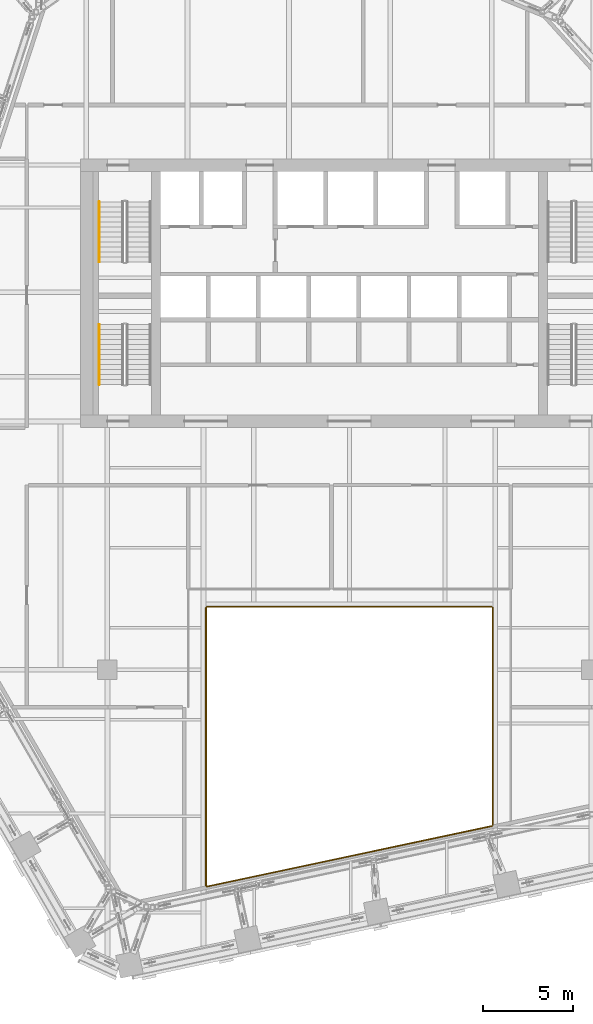
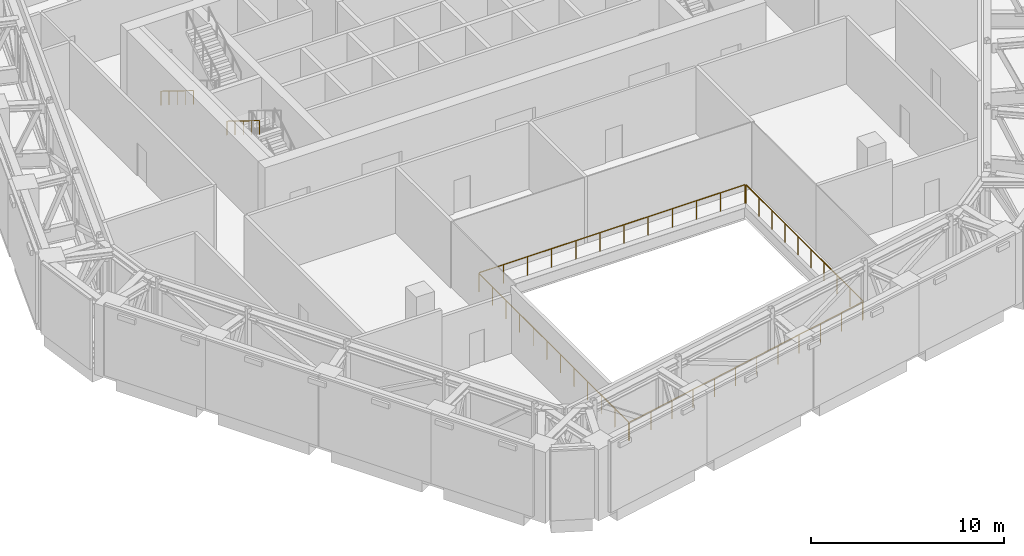
# One storey, part 25 of 26: 6 railings.
"""IFC4 building model written with IfcOpenShell, lengths in metres."""

import ifcopenshell
import ifcopenshell.guid

model = None  # the IFC model being written
_history = None  # IfcOwnerHistory: only IFC2X3 demands one
_inside = {}  # id of a spatial element -> (the spatial element, [elements in it])
_under = {}  # id of a project, library or spatial element -> (it, [spatial elements below it])
_declared = {}  # id of a project -> (the project, [libraries it declares])
_typed = {}  # id of a type object -> (the type object, [elements of that type])
_made_of = {}  # id of a material, layer set ... -> (it, [elements and type objects made of it])


def new_model(schema):
    """Start an empty IFC model of exactly this schema.

    Asked for "IFC4X3", IfcOpenShell would pick the latest addendum, in which some entities
    have other attributes; the version numbers below select the first issue.
    IFC2X3 requires an IfcOwnerHistory on every rooted entity: one is made here for all.
    """
    global model, _history
    if schema == "IFC4X3":
        model = ifcopenshell.file(schema_version=(4, 3, 0, 0))
    else:
        model = ifcopenshell.file(schema=schema)
    _inside.clear()
    _under.clear()
    _declared.clear()
    _typed.clear()
    _made_of.clear()
    _history = None
    if model.schema == "IFC2X3":
        org = make("IfcOrganization", Name="unknown")
        user = make(
            "IfcPersonAndOrganization",
            ThePerson=make("IfcPerson", FamilyName="unknown"),
            TheOrganization=org,
        )
        app = make(
            "IfcApplication",
            ApplicationDeveloper=org,
            Version="unknown",
            ApplicationFullName="unknown",
            ApplicationIdentifier="unknown",
        )
        _history = make(
            "IfcOwnerHistory",
            OwningUser=user,
            OwningApplication=app,
            ChangeAction="ADDED",
            CreationDate=0,
        )
    return model


def make(cls, **values):
    """One entity of the class cls with the attributes given. An attribute that is None is left unset."""
    return model.create_entity(
        cls, **{name: value for name, value in values.items() if value is not None}
    )


def rooted(cls, **values):
    """An entity with a GlobalId (a new one), such as an element, a storey or a relation."""
    return make(cls, GlobalId=ifcopenshell.guid.new(), OwnerHistory=_history, **values)


def si_unit(unit_type, name, prefix=None):
    """IfcSIUnit, for example si_unit("LENGTHUNIT", "METRE", prefix="MILLI")."""
    return make("IfcSIUnit", UnitType=unit_type, Prefix=prefix, Name=name)


def assignment(units):
    """IfcUnitAssignment: the units of a project."""
    return None if units is None else make("IfcUnitAssignment", Units=units)


def point(xyz):
    """IfcCartesianPoint."""
    return None if xyz is None else make("IfcCartesianPoint", Coordinates=xyz)


def direction(xyz):
    """IfcDirection."""
    return None if xyz is None else make("IfcDirection", DirectionRatios=xyz)


def frame(location, z_axis=None, x_axis=None):
    """IfcAxis2Placement3D, a coordinate frame: its origin and axes. An axis left out is left unset."""
    return make(
        "IfcAxis2Placement3D",
        Location=point(location),
        Axis=direction(z_axis),
        RefDirection=direction(x_axis),
    )


def frame_2d(location, x_axis=None):
    """IfcAxis2Placement2D, a coordinate frame in the plane: its origin and x axis."""
    return make(
        "IfcAxis2Placement2D", Location=point(location), RefDirection=direction(x_axis)
    )


def origin():
    """The frame at (0, 0, 0) with its axes left unset."""
    return frame((0.0, 0.0, 0.0))


def origin_2d():
    """The frame at (0, 0) in the plane with its x axis left unset."""
    return frame_2d((0.0, 0.0))


def place(relative_to, where):
    """IfcLocalPlacement: puts the frame where relative to a parent placement (None: the world)."""
    return make(
        "IfcLocalPlacement", PlacementRelTo=relative_to, RelativePlacement=where
    )


def context(
    kind, dimensions, precision=None, world=None, true_north=None, identifier=None
):
    """IfcGeometricRepresentationContext, for example the 3D "Model" context."""
    return make(
        "IfcGeometricRepresentationContext",
        ContextIdentifier=identifier,
        ContextType=kind,
        CoordinateSpaceDimension=dimensions,
        Precision=precision,
        WorldCoordinateSystem=world,
        TrueNorth=true_north,
    )


def subcontext(parent, identifier, kind, view, scale=None):
    """IfcGeometricRepresentationSubContext, for example "Body" below "Model"."""
    return make(
        "IfcGeometricRepresentationSubContext",
        ContextIdentifier=identifier,
        ContextType=kind,
        ParentContext=parent,
        TargetScale=scale,
        TargetView=view,
    )


def project(units=None, contexts=None):
    """IfcProject with its units and contexts."""
    return rooted(
        "IfcProject",
        Name="project",
        RepresentationContexts=contexts,
        UnitsInContext=assignment(units),
    )


def spatial(cls, under=None, at=None, **own):
    """A site, building, storey or space (cls), placed at a placement, below another one or the project."""
    s = rooted(cls, ObjectPlacement=at, **own)
    if under is not None:
        _under.setdefault(under.id(), (under, []))[1].append(s)
    return s


def profile(cls, at=None, kind="AREA", **sizes):
    """A parametric profile (cls). Its sizes go by their IFC names, for example OverallWidth=200.0."""
    return make(cls, ProfileType=kind, Position=at, **sizes)


def circle(**sizes):
    """IfcCircleProfileDef."""
    return profile("IfcCircleProfileDef", **sizes)


def extrude(swept, where, along, depth):
    """IfcExtrudedAreaSolid: the profile swept, set in the frame where, extruded along a direction by depth."""
    return make(
        "IfcExtrudedAreaSolid",
        SweptArea=swept,
        Position=where,
        ExtrudedDirection=direction(along),
        Depth=depth,
    )


def shape(context_of_items, identifier, shape_type, items):
    """IfcShapeRepresentation: the items that make up one representation, for example the "Body"."""
    return make(
        "IfcShapeRepresentation",
        ContextOfItems=context_of_items,
        RepresentationIdentifier=identifier,
        RepresentationType=shape_type,
        Items=items,
    )


def material(Name=None, Category=None):
    """IfcMaterial."""
    return make("IfcMaterial", Name=Name, Category=Category)


def made_of(thing, what):
    """Note that an element or type object is made of a material, layer set ...; save() writes the relation."""
    if what is not None:
        _made_of.setdefault(what.id(), (what, []))[1].append(thing)
    return thing


def type_object(cls, material=None, **own):
    """A type object (cls), such as IfcWallType, which elements share."""
    return made_of(rooted(cls, **own), material)


def element(
    cls,
    number,
    at=None,
    inside=None,
    cuts=None,
    type_object=None,
    material=None,
    context=None,
    identifier="Body",
    shape_type=None,
    held_by="IfcProductDefinitionShape",
    body=None,
    shapes=None,
    **own,
):
    """One element of the class cls, such as IfcWall. Its Tag is "e" and its number.

    at: its placement. inside: the storey or other place that contains it. cuts: it is an
    opening in that element (IfcRelVoidsElement). A single representation is given by context,
    identifier, shape_type and body (its items); several are given by shapes. held_by: the class
    of the entity that holds the representations. save() writes the other relations.
    """
    e = rooted(cls, Tag="e%d" % number, ObjectPlacement=at, **own)
    if body is not None:
        shapes = [shape(context, identifier, shape_type, body)]
    if shapes is not None:
        e.Representation = make(held_by, Representations=shapes)
    if inside is not None:
        _inside.setdefault(inside.id(), (inside, []))[1].append(e)
    if cuts is not None:
        rooted(
            "IfcRelVoidsElement", RelatingBuildingElement=cuts, RelatedOpeningElement=e
        )
    if type_object is not None:
        _typed.setdefault(type_object.id(), (type_object, []))[1].append(e)
    return made_of(e, material)


def aggregate(whole, parts):
    """IfcRelAggregates: a whole, such as a stair, and the parts it consists of."""
    return rooted("IfcRelAggregates", RelatingObject=whole, RelatedObjects=parts)


def save(model, path):
    """Write the relations noted so far, then the file.

    IfcRelAggregates (storeys below a building ...), IfcRelContainedInSpatialStructure (elements
    in a storey), IfcRelDefinesByType, IfcRelAssociatesMaterial and IfcRelDeclares: one each for
    every whole, place, type object, material and project.
    """
    for whole, parts in _under.values():
        aggregate(whole, parts)
    for where, things in _inside.values():
        rooted(
            "IfcRelContainedInSpatialStructure",
            RelatedElements=things,
            RelatingStructure=where,
        )
    for kind, things in _typed.values():
        rooted("IfcRelDefinesByType", RelatedObjects=things, RelatingType=kind)
    for what, things in _made_of.values():
        rooted("IfcRelAssociatesMaterial", RelatedObjects=things, RelatingMaterial=what)
    for by, libraries in _declared.values():
        rooted("IfcRelDeclares", RelatingContext=by, RelatedDefinitions=libraries)
    model.write(path)


model = new_model("IFC4")

# Units and contexts
model_context = context("Model", 3, precision=1e-05, world=origin(), true_north=direction((0.0, 1.0)))
body_context = subcontext(model_context, "Body", "Model", "MODEL_VIEW")
ifc_project = project(units=[si_unit("LENGTHUNIT", "METRE"), si_unit("AREAUNIT", "SQUARE_METRE"), si_unit("VOLUMEUNIT", "CUBIC_METRE"), si_unit("PLANEANGLEUNIT", "RADIAN"), si_unit("MASSUNIT", "GRAM", prefix="KILO")], contexts=[model_context])

# Site, building, storey
site_placement = place(None, origin())
site = spatial("IfcSite", under=ifc_project, at=site_placement, CompositionType="ELEMENT")
building_placement = place(site_placement, origin())
building = spatial("IfcBuilding", under=site, at=building_placement, Name="Isthmus Gate Tower", CompositionType="ELEMENT")
storey_placement = place(building_placement, frame((0.0, 0.0, 207.300048828125)))
storey = spatial("IfcBuildingStorey", under=building, at=storey_placement, Name="L52", CompositionType="ELEMENT", Elevation=207.300048828125)

# Railings
ifc_material_1 = material(Name="Toughened laminated glass with stainless steel handrail", Category="steel")
railing_type_1 = type_object("IfcRailingType", Name="Atrium glass guard 1200", PredefinedType="GUARDRAIL", material=ifc_material_1)
railing_1_placement = place(storey_placement, frame((-7.951171875, -25.6005859375, 0.0)))
element("IfcRailing", 1, at=railing_1_placement, inside=storey, type_object=railing_type_1, Name="L52 atrium glass guard 1", PredefinedType="GUARDRAIL", context=body_context, shape_type="SweptSolid", body=[
    extrude(circle(Radius=0.030029296875, at=origin_2d()), frame((0.0, 0.0, 1.169921875), z_axis=(0.978150911752, 0.207896113091, 0.0), x_axis=(-0.207896113091, 0.978150911752, 0.0)), (0.0, 0.0, 1.0), 16.257568359375),
    extrude(circle(Radius=0.02490234375, at=origin_2d()), origin(), (0.0, 0.0, 1.0), 1.139892578125),
    extrude(circle(Radius=0.02490234375, at=origin_2d()), frame((1.445556640625, 0.307373046875, 0.0)), (0.0, 0.0, 1.0), 1.139892578125),
    extrude(circle(Radius=0.02490234375, at=origin_2d()), frame((2.891357421875, 0.614501953125, 0.0)), (0.0, 0.0, 1.0), 1.139892578125),
    extrude(circle(Radius=0.02490234375, at=origin_2d()), frame((4.3369140625, 0.921875, 0.0)), (0.0, 0.0, 1.0), 1.139892578125),
    extrude(circle(Radius=0.02490234375, at=origin_2d()), frame((5.78271484375, 1.22900390625, 0.0)), (0.0, 0.0, 1.0), 1.139892578125),
    extrude(circle(Radius=0.02490234375, at=origin_2d()), frame((7.228271484375, 1.536376953125, 0.0)), (0.0, 0.0, 1.0), 1.139892578125),
    extrude(circle(Radius=0.02490234375, at=origin_2d()), frame((8.674072265625, 1.843505859375, 0.0)), (0.0, 0.0, 1.0), 1.139892578125),
    extrude(circle(Radius=0.02490234375, at=origin_2d()), frame((10.11962890625, 2.15087890625, 0.0)), (0.0, 0.0, 1.0), 1.139892578125),
    extrude(circle(Radius=0.02490234375, at=origin_2d()), frame((11.5654296875, 2.4580078125, 0.0)), (0.0, 0.0, 1.0), 1.139892578125),
    extrude(circle(Radius=0.02490234375, at=origin_2d()), frame((13.010986328125, 2.765380859375, 0.0)), (0.0, 0.0, 1.0), 1.139892578125),
    extrude(circle(Radius=0.02490234375, at=origin_2d()), frame((14.456787109375, 3.072509765625, 0.0)), (0.0, 0.0, 1.0), 1.139892578125),
    extrude(circle(Radius=0.02490234375, at=origin_2d()), frame((15.90234375, 3.3798828125, 0.0)), (0.0, 0.0, 1.0), 1.139892578125),
])
railing_2_placement = place(storey_placement, frame((8.0, -22.16015625, 0.0)))
element("IfcRailing", 2, at=railing_2_placement, inside=storey, type_object=railing_type_1, Name="L52 atrium glass guard 2", PredefinedType="GUARDRAIL", context=body_context, shape_type="SweptSolid", body=[
    extrude(circle(Radius=0.030029296875, at=origin_2d()), frame((0.0, 0.0, 1.169921875), z_axis=(0.0, 1.0, 0.0), x_axis=(-1.0, 0.0, 0.0)), (0.0, 0.0, 1.0), 12.110107421875),
    extrude(circle(Radius=0.02490234375, at=origin_2d()), origin(), (0.0, 0.0, 1.0), 1.139892578125),
    extrude(circle(Radius=0.02490234375, at=origin_2d()), frame((0.0, 1.345458984375, 0.0)), (0.0, 0.0, 1.0), 1.139892578125),
    extrude(circle(Radius=0.02490234375, at=origin_2d()), frame((0.0, 2.691162109375, 0.0)), (0.0, 0.0, 1.0), 1.139892578125),
    extrude(circle(Radius=0.02490234375, at=origin_2d()), frame((0.0, 4.03662109375, 0.0)), (0.0, 0.0, 1.0), 1.139892578125),
    extrude(circle(Radius=0.02490234375, at=origin_2d()), frame((0.0, 5.38232421875, 0.0)), (0.0, 0.0, 1.0), 1.139892578125),
    extrude(circle(Radius=0.02490234375, at=origin_2d()), frame((0.0, 6.727783203125, 0.0)), (0.0, 0.0, 1.0), 1.139892578125),
    extrude(circle(Radius=0.02490234375, at=origin_2d()), frame((0.0, 8.073486328125, 0.0)), (0.0, 0.0, 1.0), 1.139892578125),
    extrude(circle(Radius=0.02490234375, at=origin_2d()), frame((0.0, 9.4189453125, 0.0)), (0.0, 0.0, 1.0), 1.139892578125),
    extrude(circle(Radius=0.02490234375, at=origin_2d()), frame((0.0, 10.7646484375, 0.0)), (0.0, 0.0, 1.0), 1.139892578125),
    extrude(circle(Radius=0.02490234375, at=origin_2d()), frame((0.0, 12.110107421875, 0.0)), (0.0, 0.0, 1.0), 1.139892578125),
])
railing_3_placement = place(storey_placement, frame((7.949951171875, -10.0, 0.0)))
element("IfcRailing", 3, at=railing_3_placement, inside=storey, type_object=railing_type_1, Name="L52 atrium glass guard 3", PredefinedType="GUARDRAIL", context=body_context, shape_type="SweptSolid", body=[
    extrude(circle(Radius=0.030029296875, at=origin_2d()), frame((0.0, 0.0, 1.169921875), z_axis=(-1.0, 0.0, 0.0), x_axis=(0.0, -1.0, 0.0)), (0.0, 0.0, 1.0), 15.89990234375),
    extrude(circle(Radius=0.02490234375, at=origin_2d()), origin(), (0.0, 0.0, 1.0), 1.139892578125),
    extrude(circle(Radius=0.02490234375, at=origin_2d()), frame((-1.445556640625, 0.0, 0.0)), (0.0, 0.0, 1.0), 1.139892578125),
    extrude(circle(Radius=0.02490234375, at=origin_2d()), frame((-2.890869140625, 0.0, 0.0)), (0.0, 0.0, 1.0), 1.139892578125),
    extrude(circle(Radius=0.02490234375, at=origin_2d()), frame((-4.33642578125, 0.0, 0.0)), (0.0, 0.0, 1.0), 1.139892578125),
    extrude(circle(Radius=0.02490234375, at=origin_2d()), frame((-5.78173828125, 0.0, 0.0)), (0.0, 0.0, 1.0), 1.139892578125),
    extrude(circle(Radius=0.02490234375, at=origin_2d()), frame((-7.227294921875, 0.0, 0.0)), (0.0, 0.0, 1.0), 1.139892578125),
    extrude(circle(Radius=0.02490234375, at=origin_2d()), frame((-8.672607421875, 0.0, 0.0)), (0.0, 0.0, 1.0), 1.139892578125),
    extrude(circle(Radius=0.02490234375, at=origin_2d()), frame((-10.1181640625, 0.0, 0.0)), (0.0, 0.0, 1.0), 1.139892578125),
    extrude(circle(Radius=0.02490234375, at=origin_2d()), frame((-11.5634765625, 0.0, 0.0)), (0.0, 0.0, 1.0), 1.139892578125),
    extrude(circle(Radius=0.02490234375, at=origin_2d()), frame((-13.009033203125, 0.0, 0.0)), (0.0, 0.0, 1.0), 1.139892578125),
    extrude(circle(Radius=0.02490234375, at=origin_2d()), frame((-14.454345703125, 0.0, 0.0)), (0.0, 0.0, 1.0), 1.139892578125),
    extrude(circle(Radius=0.02490234375, at=origin_2d()), frame((-15.89990234375, 0.0, 0.0)), (0.0, 0.0, 1.0), 1.139892578125),
])
railing_4_placement = place(storey_placement, frame((-8.0, -10.050048828125, 0.0)))
element("IfcRailing", 4, at=railing_4_placement, inside=storey, type_object=railing_type_1, Name="L52 atrium glass guard 4", PredefinedType="GUARDRAIL", context=body_context, shape_type="SweptSolid", body=[
    extrude(circle(Radius=0.030029296875, at=origin_2d()), frame((0.0, 0.0, 1.169921875), z_axis=(0.0, -1.0, 0.0), x_axis=(1.0, 0.0, 0.0)), (0.0, 0.0, 1.0), 15.510986328125),
    extrude(circle(Radius=0.02490234375, at=origin_2d()), origin(), (0.0, 0.0, 1.0), 1.139892578125),
    extrude(circle(Radius=0.02490234375, at=origin_2d()), frame((0.0, -1.41015625, 0.0)), (0.0, 0.0, 1.0), 1.139892578125),
    extrude(circle(Radius=0.02490234375, at=origin_2d()), frame((0.0, -2.820068359375, 0.0)), (0.0, 0.0, 1.0), 1.139892578125),
    extrude(circle(Radius=0.02490234375, at=origin_2d()), frame((0.0, -4.230224609375, 0.0)), (0.0, 0.0, 1.0), 1.139892578125),
    extrude(circle(Radius=0.02490234375, at=origin_2d()), frame((0.0, -5.640380859375, 0.0)), (0.0, 0.0, 1.0), 1.139892578125),
    extrude(circle(Radius=0.02490234375, at=origin_2d()), frame((0.0, -7.050537109375, 0.0)), (0.0, 0.0, 1.0), 1.139892578125),
    extrude(circle(Radius=0.02490234375, at=origin_2d()), frame((0.0, -8.46044921875, 0.0)), (0.0, 0.0, 1.0), 1.139892578125),
    extrude(circle(Radius=0.02490234375, at=origin_2d()), frame((0.0, -9.87060546875, 0.0)), (0.0, 0.0, 1.0), 1.139892578125),
    extrude(circle(Radius=0.02490234375, at=origin_2d()), frame((0.0, -11.28076171875, 0.0)), (0.0, 0.0, 1.0), 1.139892578125),
    extrude(circle(Radius=0.02490234375, at=origin_2d()), frame((0.0, -12.69091796875, 0.0)), (0.0, 0.0, 1.0), 1.139892578125),
    extrude(circle(Radius=0.02490234375, at=origin_2d()), frame((0.0, -14.100830078125, 0.0)), (0.0, 0.0, 1.0), 1.139892578125),
    extrude(circle(Radius=0.02490234375, at=origin_2d()), frame((0.0, -15.510986328125, 0.0)), (0.0, 0.0, 1.0), 1.139892578125),
])
ifc_material_2 = material(Name="Stainless steel handrail", Category="steel")
railing_type_2 = type_object("IfcRailingType", Name="STAIR HANDRAIL 900", PredefinedType="HANDRAIL", material=ifc_material_2)
for number, where, name in (
    (5, (-13.949951171875, 12.60009765625, 0.173095703125), "L52 ST1 stair handrail 1"),
    (6, (-13.949951171875, 5.760009765625, 2.423095703125), "L52 ST7 stair handrail 2"),
):
    element("IfcRailing", number, at=place(storey_placement, frame(where)), inside=storey, type_object=railing_type_2, Name=name, PredefinedType="HANDRAIL", context=body_context, shape_type="SweptSolid", body=[
        extrude(circle(Radius=0.02392578125, at=origin_2d()), frame((0.0, 0.0, 0.8759765625), z_axis=(0.0, -0.850623216509, 0.525775754039), x_axis=(1.0, 0.0, 0.0)), (0.0, 0.0, 1.0), 3.9501953125),
        extrude(circle(Radius=0.02099609375, at=origin_2d()), origin(), (0.0, 0.0, 1.0), 0.851806640625),
        extrude(circle(Radius=0.02099609375, at=origin_2d()), frame((0.0, -0.840087890625, 0.519287109375)), (0.0, 0.0, 1.0), 0.851806640625),
        extrude(circle(Radius=0.02099609375, at=origin_2d()), frame((0.0, -1.68017578125, 1.03857421875)), (0.0, 0.0, 1.0), 0.851806640625),
        extrude(circle(Radius=0.02099609375, at=origin_2d()), frame((0.0, -2.52001953125, 1.5576171875)), (0.0, 0.0, 1.0), 0.851806640625),
        extrude(circle(Radius=0.02099609375, at=origin_2d()), frame((0.0, -3.360107421875, 2.076904296875)), (0.0, 0.0, 1.0), 0.851806640625),
    ])

save(model, "model.ifc")
